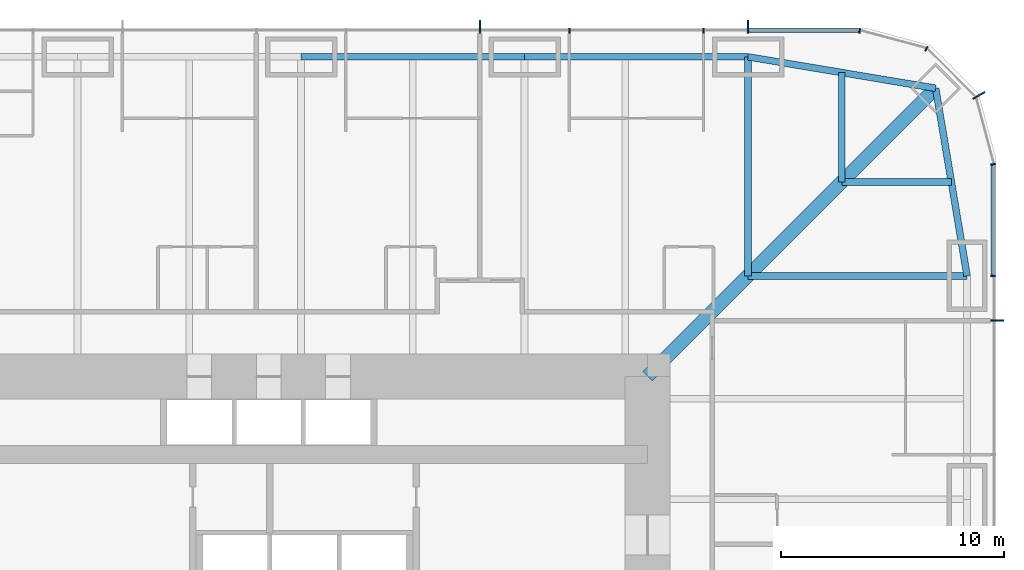
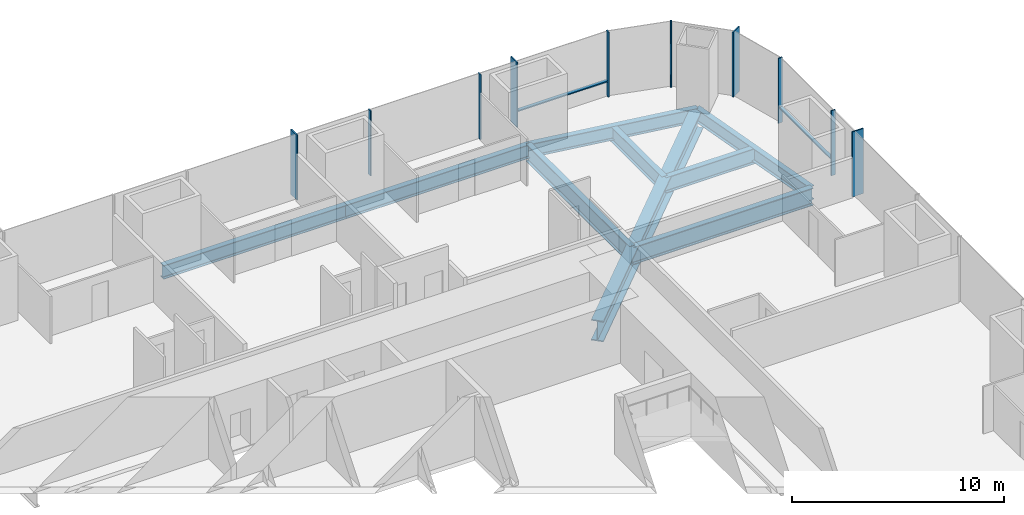
# One storey, part 9 of 17: 12 members, 9 beams, 3 elements without a shape of their own.
"""IFC4 building model written with IfcOpenShell, lengths in metres."""

from ifc_helpers import new_model, si_unit, direction, frame, origin, origin_2d, place, context, subcontext, project, spatial, rectangle, i_section, extrude, material, material_profile, profile_set, type_object, element, aggregate, save


model = new_model("IFC4")

# Units and contexts
model_context = context("Model", 3, precision=1e-05, world=origin(), true_north=direction((0.0, 1.0)))
body_context = subcontext(model_context, "Body", "Model", "MODEL_VIEW")
ifc_project = project(units=[si_unit("LENGTHUNIT", "METRE"), si_unit("AREAUNIT", "SQUARE_METRE"), si_unit("VOLUMEUNIT", "CUBIC_METRE"), si_unit("PLANEANGLEUNIT", "RADIAN"), si_unit("MASSUNIT", "GRAM", prefix="KILO")], contexts=[model_context])

# Site, building, storey
site_placement = place(None, origin())
site = spatial("IfcSite", under=ifc_project, at=site_placement, CompositionType="ELEMENT")
building_placement = place(site_placement, origin())
building = spatial("IfcBuilding", under=site, at=building_placement, Name="Khuree Lantern Residences", CompositionType="ELEMENT")
storey_placement = place(building_placement, frame((0.0, 0.0, 84.75)))
storey = spatial("IfcBuildingStorey", under=building, at=storey_placement, Name="L21", CompositionType="ELEMENT", Elevation=84.75)

# Beams
ifc_material_1 = material(Name="Steel S355", Category="steel")
ifc_material_profile_1 = material_profile(ifc_material_1, i_section(OverallWidth=0.300048828125, OverallDepth=0.889892578125, WebThickness=0.01611328125, FlangeThickness=0.030029296875, FilletRadius=0.030029296875, at=origin_2d()), Name="HE 900 A")
ifc_profile_set_1 = profile_set([ifc_material_profile_1], Name="Steel S355")
beam_type_1 = type_object("IfcBeamType", Name="B-15 SECONDARY BEAM HE 900 A", PredefinedType="BEAM", material=ifc_profile_set_1)
for number, where, z_axis, x_axis, name in (
    (1, (24.197021484375, 29.09716796875, -0.695068359375), (0.0, -1.0, 0.0), (1.0, 0.0, 0.0), "Secondary beam N5"),
    (2, (29.09716796875, 24.197021484375, -0.695068359375), (-1.0, 0.0, 0.0), (0.0, -1.0, 0.0), "Secondary beam E1"),
):
    element("IfcBeam", number, at=place(storey_placement, frame(where, z_axis=z_axis, x_axis=x_axis)), inside=storey, type_object=beam_type_1, Name=name, PredefinedType="BEAM", context=body_context, shape_type="SweptSolid", body=[
        extrude(i_section(OverallWidth=0.300048828125, OverallDepth=0.889892578125, WebThickness=0.01611328125, FlangeThickness=0.030029296875, FilletRadius=0.030029296875, at=origin_2d()), origin(), (0.0, 0.0, 1.0), 4.900146484375),
    ])
ifc_material_profile_2 = material_profile(ifc_material_1, i_section(OverallWidth=0.300048828125, OverallDepth=0.7900390625, WebThickness=0.014892578125, FlangeThickness=0.028076171875, FilletRadius=0.030029296875, at=origin_2d()), Name="HE 800 A")
ifc_profile_set_2 = profile_set([ifc_material_profile_2], Name="Steel S355")
beam_type_2 = type_object("IfcBeamType", Name="E-15 SPANDREL BEAM HE 800 A", PredefinedType="SPANDREL", material=ifc_profile_set_2)
for number, where, z_axis, x_axis, name in (
    (3, (0.0, 29.800048828125, -0.64501953125), (1.0, 0.0, 0.0), (0.0, 1.0, 0.0), "Spandrel beam N3"),
    (4, (10.0, 29.800048828125, -0.64501953125), (1.0, 0.0, 0.0), (0.0, 1.0, 0.0), "Spandrel beam N4"),
):
    element("IfcBeam", number, at=place(storey_placement, frame(where, z_axis=z_axis, x_axis=x_axis)), inside=storey, type_object=beam_type_2, Name=name, PredefinedType="SPANDREL", context=body_context, shape_type="SweptSolid", body=[
        extrude(i_section(OverallWidth=0.300048828125, OverallDepth=0.7900390625, WebThickness=0.014892578125, FlangeThickness=0.028076171875, FilletRadius=0.030029296875, at=origin_2d()), origin(), (0.0, 0.0, 1.0), 10.0),
    ])
for number, where, z_axis, x_axis, name in (
    (5, (20.0, 29.800048828125, -0.64501953125), (0.986260251158, -0.165199022349, 0.0), (0.165199022349, 0.986260251158, 0.0), "Spandrel beam N5"),
    (6, (28.39404296875, 28.39404296875, -0.64501953125), (0.165199022349, -0.986260251158, 0.0), (0.986260251158, 0.165199022349, 0.0), "Spandrel beam E1"),
):
    element("IfcBeam", number, at=place(storey_placement, frame(where, z_axis=z_axis, x_axis=x_axis)), inside=storey, type_object=beam_type_2, Name=name, PredefinedType="SPANDREL", context=body_context, shape_type="SweptSolid", body=[
        extrude(i_section(OverallWidth=0.300048828125, OverallDepth=0.7900390625, WebThickness=0.014892578125, FlangeThickness=0.028076171875, FilletRadius=0.030029296875, at=origin_2d()), origin(), (0.0, 0.0, 1.0), 8.510986328125),
    ])

# Curtain wall, member
ifc_material_2 = material(Name="Bronze anodised aluminium", Category="aluminium")
curtain_wall_type_1 = type_object("IfcCurtainWallType", Name="CW-T1 TOWER FACE CURTAIN WALL", PredefinedType="USERDEFINED", material=ifc_material_2)
curtain_wall_1_placement = place(storey_placement, origin())
curtain_wall_1 = element("IfcCurtainWall", 7, at=curtain_wall_1_placement, inside=storey, type_object=curtain_wall_type_1, Name="L21 EAST FACE CURTAIN WALL", ObjectType="Stick-built curtain wall", PredefinedType="USERDEFINED")
ifc_material_profile_3 = material_profile(ifc_material_2, rectangle(XDim=0.06494140625, YDim=0.60009765625, at=origin_2d()), Name="F1 65X600")
ifc_profile_set_3 = profile_set([ifc_material_profile_3], Name="Bronze anodised aluminium")
member_type_1 = type_object("IfcMemberType", Name="F1 BRONZE FIN MULLION TOWER 65X600", PredefinedType="MULLION", material=ifc_profile_set_3)
member_1_placement = place(storey_placement, frame((31.14990234375, 18.0, 0.0), z_axis=(0.0, 0.0, 1.0), x_axis=(0.0, 1.0, 0.0)))
member_1 = element("IfcMember", 8, at=member_1_placement, type_object=member_type_1, Name="L21 EAST FACE FIN MULLION 13", PredefinedType="MULLION", context=body_context, shape_type="SweptSolid", body=[
    extrude(rectangle(XDim=0.06494140625, YDim=0.60009765625, at=origin_2d()), origin(), (0.0, 0.0, 1.0), 3.75),
])

curtain_wall_type_2 = type_object("IfcCurtainWallType", Name="CW-T2 TOWER CORNER CURTAIN WALL", PredefinedType="USERDEFINED", material=ifc_material_2)
curtain_wall_2_placement = place(storey_placement, origin())
curtain_wall_2 = element("IfcCurtainWall", 9, at=curtain_wall_2_placement, inside=storey, type_object=curtain_wall_type_2, Name="L21 NORTH-EAST CORNER CURTAIN WALL", ObjectType="Faceted corner curtain wall", PredefinedType="USERDEFINED")
member_2_placement = place(storey_placement, frame((30.326171875, 28.074951171875, 0.0), z_axis=(0.0, 0.0, 1.0), x_axis=(-0.500000056923, 0.86602537092, 0.0)))
member_2 = element("IfcMember", 10, at=member_2_placement, type_object=member_type_1, Name="L21 NORTH-EAST CORNER FIN MULLION 16", PredefinedType="MULLION", context=body_context, shape_type="SweptSolid", body=[
    extrude(rectangle(XDim=0.06494140625, YDim=0.60009765625, at=origin_2d()), origin(), (0.0, 0.0, 1.0), 3.75),
])

# Curtain wall, members
curtain_wall_3_placement = place(storey_placement, origin())
curtain_wall_3 = element("IfcCurtainWall", 11, at=curtain_wall_3_placement, inside=storey, type_object=curtain_wall_type_1, Name="L21 NORTH FACE CURTAIN WALL", ObjectType="Stick-built curtain wall", PredefinedType="USERDEFINED")
member_3_placement = place(storey_placement, frame((20.0, 31.14990234375, 0.0), z_axis=(0.0, 0.0, 1.0), x_axis=(-1.0, 0.0, 0.0)))
member_3 = element("IfcMember", 12, at=member_3_placement, type_object=member_type_1, Name="L21 NORTH FACE FIN MULLION 19", PredefinedType="MULLION", context=body_context, shape_type="SweptSolid", body=[
    extrude(rectangle(XDim=0.06494140625, YDim=0.60009765625, at=origin_2d()), origin(), (0.0, 0.0, 1.0), 3.75),
])
member_4_placement = place(storey_placement, frame((8.0, 31.14990234375, 0.0), z_axis=(0.0, 0.0, 1.0), x_axis=(-1.0, 0.0, 0.0)))
member_4 = element("IfcMember", 13, at=member_4_placement, type_object=member_type_1, Name="L21 NORTH FACE FIN MULLION 22", PredefinedType="MULLION", context=body_context, shape_type="SweptSolid", body=[
    extrude(rectangle(XDim=0.06494140625, YDim=0.60009765625, at=origin_2d()), origin(), (0.0, 0.0, 1.0), 3.75),
])

# Beams
ifc_material_profile_4 = material_profile(ifc_material_1, i_section(OverallWidth=0.302001953125, OverallDepth=1.008056640625, WebThickness=0.02099609375, FlangeThickness=0.0400390625, FilletRadius=0.030029296875, at=origin_2d()), Name="HE 1000 M")
ifc_profile_set_4 = profile_set([ifc_material_profile_4], Name="Steel S355")
beam_type_3 = type_object("IfcBeamType", Name="G-15 GIRDER HE 1000 M", PredefinedType="BEAM", material=ifc_profile_set_4)
for number, where, z_axis, x_axis, name in (
    (14, (20.0, 29.800048828125, -0.75390625), (0.0, -1.0, 0.0), (1.0, 0.0, 0.0), "Girder N5"),
    (15, (29.800048828125, 20.0, -0.75390625), (-1.0, 0.0, 0.0), (0.0, -1.0, 0.0), "Girder E1"),
):
    element("IfcBeam", number, at=place(storey_placement, frame(where, z_axis=z_axis, x_axis=x_axis)), inside=storey, type_object=beam_type_3, Name=name, PredefinedType="BEAM", context=body_context, shape_type="SweptSolid", body=[
        extrude(i_section(OverallWidth=0.302001953125, OverallDepth=1.008056640625, WebThickness=0.02099609375, FlangeThickness=0.0400390625, FilletRadius=0.030029296875, at=origin_2d()), origin(), (0.0, 0.0, 1.0), 9.800048828125),
    ])
ifc_material_profile_5 = material_profile(ifc_material_1, i_section(OverallWidth=0.60009765625, OverallDepth=1.199951171875, WebThickness=0.030029296875, FlangeThickness=0.06005859375, at=origin_2d()), Name="WELDED I 1200X600X30X60")
ifc_profile_set_5 = profile_set([ifc_material_profile_5], Name="Steel S355")
beam_type_4 = type_object("IfcBeamType", Name="GD-15 CORNER GIRDER WELDED I 1200X600X30X60", PredefinedType="BEAM", material=ifc_profile_set_5)
beam_placement = place(storey_placement, frame((28.39404296875, 28.39404296875, -0.85009765625), z_axis=(-0.707106781187, -0.707106781187, 0.0), x_axis=(0.707106781187, -0.707106781187, 0.0)))
element("IfcBeam", 16, at=beam_placement, inside=storey, type_object=beam_type_4, Name="Corner girder NE", PredefinedType="BEAM", context=body_context, shape_type="SweptSolid", body=[
    extrude(i_section(OverallWidth=0.60009765625, OverallDepth=1.199951171875, WebThickness=0.030029296875, FlangeThickness=0.06005859375, at=origin_2d()), origin(), (0.0, 0.0, 1.0), 18.23486328125),
])

# Member
ifc_material_profile_6 = material_profile(ifc_material_2, rectangle(XDim=0.06494140625, YDim=0.219970703125, at=origin_2d()), Name="M1 65X220")
ifc_profile_set_6 = profile_set([ifc_material_profile_6], Name="Bronze anodised aluminium")
member_type_2 = type_object("IfcMemberType", Name="M1 BRONZE MULLION TOWER 65X220", PredefinedType="MULLION", material=ifc_profile_set_6)
member_5_placement = place(storey_placement, frame((30.9599609375, 20.0, 0.0), z_axis=(0.0, 0.0, 1.0), x_axis=(0.0, 1.0, 0.0)))
member_5 = element("IfcMember", 17, at=member_5_placement, type_object=member_type_2, Name="L21 EAST FACE MULLION 14", PredefinedType="MULLION", context=body_context, shape_type="SweptSolid", body=[
    extrude(rectangle(XDim=0.06494140625, YDim=0.219970703125, at=origin_2d()), origin(), (0.0, 0.0, 1.0), 3.75),
])

member_6_placement = place(storey_placement, frame((30.961669921875, 24.994873046875, 0.0), z_axis=(0.0, 0.0, 1.0), x_axis=(-0.130526257387, 0.991444852794, 0.0)))
member_6 = element("IfcMember", 18, at=member_6_placement, type_object=member_type_2, Name="L21 NORTH-EAST CORNER MULLION 15", PredefinedType="MULLION", context=body_context, shape_type="SweptSolid", body=[
    extrude(rectangle(XDim=0.06494140625, YDim=0.219970703125, at=origin_2d()), origin(), (0.0, 0.0, 1.0), 3.75),
])

member_7_placement = place(storey_placement, frame((27.97998046875, 30.16162109375, 0.0), z_axis=(0.0, 0.0, 1.0), x_axis=(-0.86602537092, 0.500000056923, 0.0)))
member_7 = element("IfcMember", 19, at=member_7_placement, type_object=member_type_2, Name="L21 NORTH-EAST CORNER MULLION 17", PredefinedType="MULLION", context=body_context, shape_type="SweptSolid", body=[
    extrude(rectangle(XDim=0.06494140625, YDim=0.219970703125, at=origin_2d()), origin(), (0.0, 0.0, 1.0), 3.75),
])

aggregate(curtain_wall_2, [member_6, member_2, member_7])

member_8_placement = place(storey_placement, frame((24.994873046875, 30.961669921875, 0.0), z_axis=(0.0, 0.0, 1.0), x_axis=(-0.991444852794, 0.130526257387, 0.0)))
member_8 = element("IfcMember", 20, at=member_8_placement, type_object=member_type_2, Name="L21 NORTH FACE MULLION 18", PredefinedType="MULLION", context=body_context, shape_type="SweptSolid", body=[
    extrude(rectangle(XDim=0.06494140625, YDim=0.219970703125, at=origin_2d()), origin(), (0.0, 0.0, 1.0), 3.75),
])

member_9_placement = place(storey_placement, frame((18.0, 30.9599609375, 0.0), z_axis=(0.0, 0.0, 1.0), x_axis=(-1.0, 0.0, 0.0)))
member_9 = element("IfcMember", 21, at=member_9_placement, type_object=member_type_2, Name="L21 NORTH FACE MULLION 20", PredefinedType="MULLION", context=body_context, shape_type="SweptSolid", body=[
    extrude(rectangle(XDim=0.06494140625, YDim=0.219970703125, at=origin_2d()), origin(), (0.0, 0.0, 1.0), 3.75),
])

member_10_placement = place(storey_placement, frame((12.0, 30.9599609375, 0.0), z_axis=(0.0, 0.0, 1.0), x_axis=(-1.0, 0.0, 0.0)))
member_10 = element("IfcMember", 22, at=member_10_placement, type_object=member_type_2, Name="L21 NORTH FACE MULLION 21", PredefinedType="MULLION", context=body_context, shape_type="SweptSolid", body=[
    extrude(rectangle(XDim=0.06494140625, YDim=0.219970703125, at=origin_2d()), origin(), (0.0, 0.0, 1.0), 3.75),
])

ifc_material_profile_7 = material_profile(ifc_material_2, rectangle(XDim=0.179931640625, YDim=0.06494140625, at=origin_2d()), Name="T1 180X65")
ifc_profile_set_7 = profile_set([ifc_material_profile_7], Name="Bronze anodised aluminium")
member_type_3 = type_object("IfcMemberType", Name="TRANSOM T1 TOWER 180X65", PredefinedType="USERDEFINED", material=ifc_profile_set_7)
member_11_placement = place(storey_placement, frame((30.969970703125, 20.032470703125, 0.89990234375), z_axis=(0.0, 1.0, 0.0), x_axis=(-1.0, 0.0, 0.0)))
member_11 = element("IfcMember", 23, at=member_11_placement, type_object=member_type_3, Name="L21 EAST FACE TRANSOM 14.1", ObjectType="Transom", PredefinedType="USERDEFINED", context=body_context, shape_type="SweptSolid", body=[
    extrude(rectangle(XDim=0.179931640625, YDim=0.06494140625, at=origin_2d()), origin(), (0.0, 0.0, 1.0), 4.9189453125),
])

aggregate(curtain_wall_1, [member_1, member_5, member_11])

member_12_placement = place(storey_placement, frame((24.951416015625, 30.969970703125, 0.89990234375), z_axis=(-1.0, 0.0, 0.0), x_axis=(0.0, -1.0, 0.0)))
member_12 = element("IfcMember", 24, at=member_12_placement, type_object=member_type_3, Name="L21 NORTH FACE TRANSOM 18.1", ObjectType="Transom", PredefinedType="USERDEFINED", context=body_context, shape_type="SweptSolid", body=[
    extrude(rectangle(XDim=0.179931640625, YDim=0.06494140625, at=origin_2d()), origin(), (0.0, 0.0, 1.0), 4.9189453125),
])

aggregate(curtain_wall_3, [member_8, member_3, member_9, member_10, member_4, member_12])

save(model, "model.ifc")
